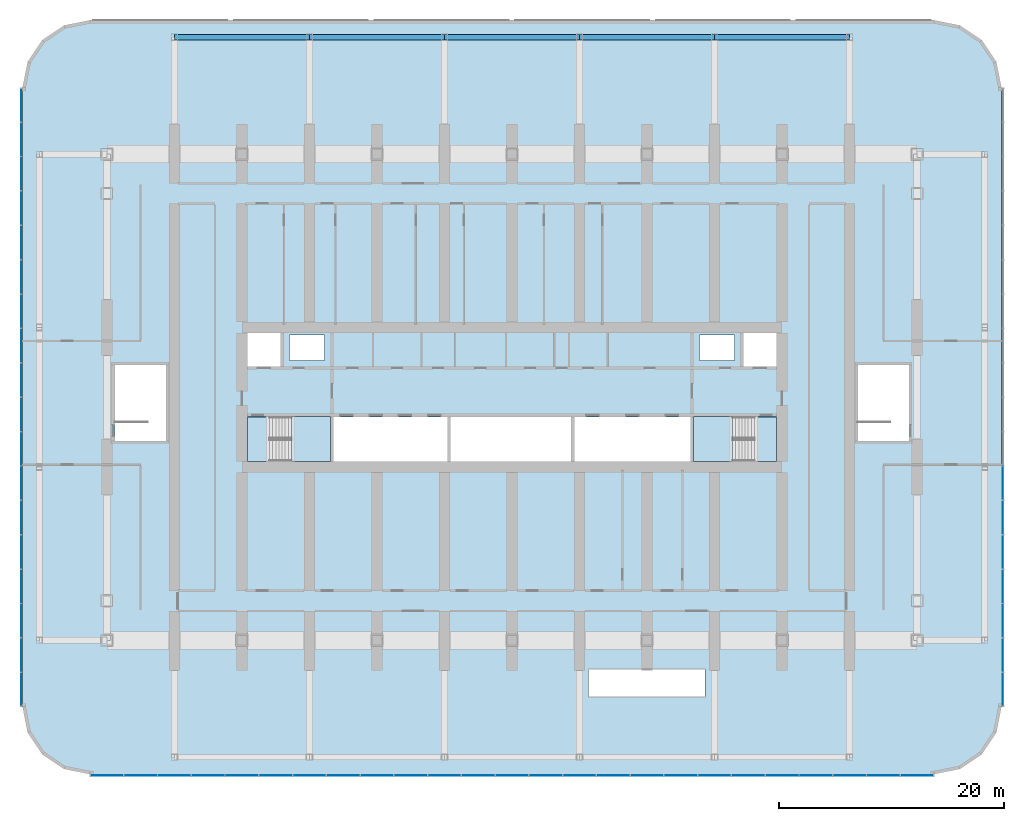
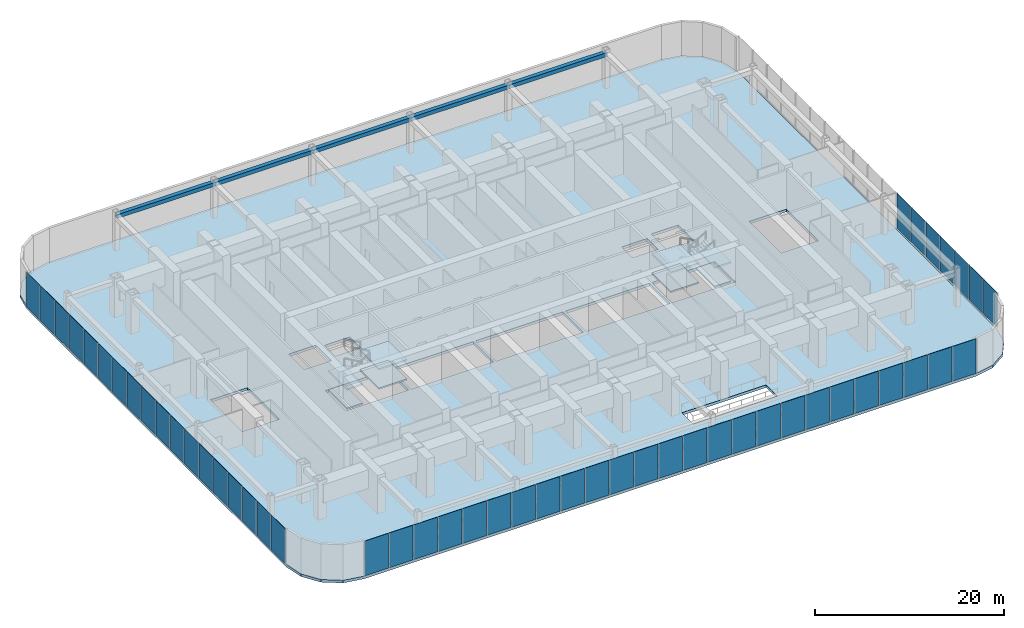
# One storey, part 10 of 26: 50 plates, 9 slabs, 5 beams, 5 elements without a shape of their own.
"""IFC4 building model written with IfcOpenShell, lengths in metres."""

from ifc_helpers import new_model, si_unit, direction, frame, origin, origin_2d, place, context, subcontext, project, spatial, polyline, rectangle, hollow_rectangle, outline, extrude, material, layer, layer_set, material_profile, profile_set, type_object, element, aggregate, save


model = new_model("IFC4")

# Units and contexts
model_context = context("Model", 3, precision=1e-05, world=origin(), true_north=direction((0.0, 1.0)))
body_context = subcontext(model_context, "Body", "Model", "MODEL_VIEW")
ifc_project = project(units=[si_unit("LENGTHUNIT", "METRE"), si_unit("AREAUNIT", "SQUARE_METRE"), si_unit("VOLUMEUNIT", "CUBIC_METRE"), si_unit("PLANEANGLEUNIT", "RADIAN"), si_unit("MASSUNIT", "GRAM", prefix="KILO")], contexts=[model_context])

# Site, building, storey
site_placement = place(None, origin())
site = spatial("IfcSite", under=ifc_project, at=site_placement, CompositionType="ELEMENT")
building_placement = place(site_placement, origin())
building = spatial("IfcBuilding", under=site, at=building_placement, Name="Orbita Commons", CompositionType="ELEMENT")
storey_placement = place(building_placement, frame((0.0, 0.0, 11.0)))
storey = spatial("IfcBuildingStorey", under=building, at=storey_placement, Name="L02", CompositionType="ELEMENT", Elevation=11.0)

# Beams
ifc_material_1 = material(Name="Steel ASTM A572 Gr 50 welded plate", Category="steel")
ifc_material_profile = material_profile(ifc_material_1, hollow_rectangle(XDim=0.5, YDim=0.5, WallThickness=0.050048828125, at=origin_2d()), Name="BOX 500x500x50")
ifc_profile_set = profile_set([ifc_material_profile], Name="Steel ASTM A572 Gr 50 welded plate")
beam_type = type_object("IfcBeamType", Name="Steel edge beam BOX 500x500x50", PredefinedType="SPANDREL", material=ifc_profile_set)
for number, where, z_axis, x_axis, name in (
    (1, (12.0, 64.0, 4.35009765625), (1.0, 0.0, 0.0), (0.0, 1.0, 0.0), "Edge beam F 3-5 L02"),
    (2, (24.0, 64.0, 4.35009765625), (1.0, 0.0, 0.0), (0.0, 1.0, 0.0), "Edge beam F 5-7 L02"),
    (3, (36.0, 64.0, 4.35009765625), (1.0, 0.0, 0.0), (0.0, 1.0, 0.0), "Edge beam F 7-9 L02"),
    (4, (48.0, 64.0, 4.35009765625), (1.0, 0.0, 0.0), (0.0, 1.0, 0.0), "Edge beam F 9-11 L02"),
    (5, (60.0, 64.0, 4.35009765625), (1.0, 0.0, 0.0), (0.0, 1.0, 0.0), "Edge beam F 11-13 L02"),
):
    element("IfcBeam", number, at=place(storey_placement, frame(where, z_axis=z_axis, x_axis=x_axis)), inside=storey, type_object=beam_type, Name=name, PredefinedType="SPANDREL", context=body_context, shape_type="SweptSolid", body=[
        extrude(hollow_rectangle(XDim=0.5, YDim=0.5, WallThickness=0.050048828125, at=origin_2d()), origin(), (0.0, 0.0, 1.0), 12.0),
    ])

# Slab
ifc_material_2 = material(Name="Concrete C40/50", Category="concrete")
ifc_layer_1 = layer(ifc_material_2, 0.35009765625)
ifc_layer_set_1 = layer_set([ifc_layer_1], Name="Concrete C40/50")
slab_type_1 = type_object("IfcSlabType", Name="Floor slab 350", PredefinedType="FLOOR", material=ifc_layer_set_1)
slab_1_placement = place(storey_placement, frame((0.0, 0.0, -0.35009765625)))
element("IfcSlab", 6, at=slab_1_placement, inside=storey, type_object=slab_type_1, Name="Floor slab L02", PredefinedType="FLOOR", context=body_context, shape_type="SweptSolid", body=[
    extrude(outline(polyline([(79.5, -1.5), (81.796142578125, -1.043212890625), (83.74267578125, 0.25732421875), (85.043212890625, 2.203857421875), (85.5, 4.5), (85.5, 59.5), (85.043212890625, 61.796142578125), (83.74267578125, 63.74267578125), (81.796142578125, 65.043212890625), (79.5, 65.5), (4.5, 65.5), (2.203857421875, 65.043212890625), (0.25732421875, 63.74267578125), (-1.043212890625, 61.796142578125), (-1.5, 59.5), (-1.5, 4.5), (-1.043212890625, 2.203857421875), (0.25732421875, 0.25732421875), (2.203857421875, -1.043212890625), (4.5, -1.5), (79.5, -1.5)]), holes=[polyline([(18.14990234375, 25.949951171875), (25.85009765625, 25.949951171875), (25.85009765625, 30.25), (18.14990234375, 30.25), (18.14990234375, 25.949951171875)]), polyline([(58.14990234375, 25.949951171875), (65.85009765625, 25.949951171875), (65.85009765625, 30.25), (58.14990234375, 30.25), (58.14990234375, 25.949951171875)]), polyline([(18.14990234375, 34.75), (21.449951171875, 34.75), (21.449951171875, 38.050048828125), (18.14990234375, 38.050048828125), (18.14990234375, 34.75)]), polyline([(62.550048828125, 34.75), (65.85009765625, 34.75), (65.85009765625, 38.050048828125), (62.550048828125, 38.050048828125), (62.550048828125, 34.75)]), polyline([(22.25, 35.25), (25.35009765625, 35.25), (25.35009765625, 37.550048828125), (22.25, 37.550048828125), (22.25, 35.25)]), polyline([(58.64990234375, 35.25), (61.75, 35.25), (61.75, 37.550048828125), (58.64990234375, 37.550048828125), (58.64990234375, 35.25)]), polyline([(26.14990234375, 25.949951171875), (36.25, 25.949951171875), (36.25, 30.25), (26.14990234375, 30.25), (26.14990234375, 25.949951171875)]), polyline([(36.550048828125, 25.949951171875), (47.25, 25.949951171875), (47.25, 30.25), (36.550048828125, 30.25), (36.550048828125, 25.949951171875)]), polyline([(47.550048828125, 25.949951171875), (57.85009765625, 25.949951171875), (57.85009765625, 30.25), (47.550048828125, 30.25), (47.550048828125, 25.949951171875)]), polyline([(48.85009765625, 5.39990234375), (59.14990234375, 5.39990234375), (59.14990234375, 7.800048828125), (48.85009765625, 7.800048828125), (48.85009765625, 5.39990234375)]), polyline([(6.72509765625, 28.125), (11.27490234375, 28.125), (11.27490234375, 34.875), (6.72509765625, 34.875), (6.72509765625, 28.125)]), polyline([(72.72509765625, 28.125), (77.27490234375, 28.125), (77.27490234375, 34.875), (72.72509765625, 34.875), (72.72509765625, 28.125)])]), origin(), (0.0, 0.0, 1.0), 0.35009765625),
])

# Stair, slabs
ifc_material_3 = material(Name="Precast concrete C40/50", Category="concrete")
stair_type_1 = type_object("IfcStairType", Name="Exit stair S1 4 flights 8 risers 156", PredefinedType="HALF_TURN_STAIR", material=ifc_material_3)
stair_1_placement = place(storey_placement, origin())
stair_1 = element("IfcStair", 7, at=stair_1_placement, inside=storey, type_object=stair_type_1, Name="Exit stair S1 L02", PredefinedType="HALF_TURN_STAIR")
ifc_material_4 = material(Name="Concrete C40/50", Category="concrete")
ifc_layer_2 = layer(ifc_material_4, 0.199951171875)
ifc_layer_set_2 = layer_set([ifc_layer_2], Name="Concrete C40/50")
slab_type_2 = type_object("IfcSlabType", Name="Stair landing 200", PredefinedType="LANDING", material=ifc_layer_set_2)
slab_2_placement = place(storey_placement, frame((0.0, 0.0, -0.199951171875)))
slab_2 = element("IfcSlab", 8, at=slab_2_placement, type_object=slab_type_2, Name="S1 landing 1", PredefinedType="LANDING", context=body_context, shape_type="SweptSolid", body=[
    extrude(outline(polyline([(18.5, 26.300048828125), (20.449951171875, 26.300048828125), (20.449951171875, 30.25), (18.5, 30.25), (18.5, 26.300048828125)])), origin(), (0.0, 0.0, 1.0), 0.199951171875),
])
slab_3_placement = place(storey_placement, frame((0.0, 0.0, 1.050048828125)))
slab_3 = element("IfcSlab", 9, at=slab_3_placement, type_object=slab_type_2, Name="S1 landing 2", PredefinedType="LANDING", context=body_context, shape_type="SweptSolid", body=[
    extrude(outline(polyline([(22.409912109375, 26.284912109375), (25.864990234375, 26.284912109375), (25.864990234375, 30.264892578125), (22.409912109375, 30.264892578125), (22.409912109375, 26.284912109375)])), origin(), (0.0, 0.0, 1.0), 0.199951171875),
])
slab_4_placement = place(storey_placement, frame((0.0, 0.0, 2.300048828125)))
slab_4 = element("IfcSlab", 10, at=slab_4_placement, type_object=slab_type_2, Name="S1 landing 3", PredefinedType="LANDING", context=body_context, shape_type="SweptSolid", body=[
    extrude(outline(polyline([(18.485107421875, 26.284912109375), (20.449951171875, 26.284912109375), (20.449951171875, 30.264892578125), (18.485107421875, 30.264892578125), (18.485107421875, 26.284912109375)])), origin(), (0.0, 0.0, 1.0), 0.199951171875),
])
slab_5_placement = place(storey_placement, frame((0.0, 0.0, 3.550048828125)))
slab_5 = element("IfcSlab", 11, at=slab_5_placement, type_object=slab_type_2, Name="S1 landing 4", PredefinedType="LANDING", context=body_context, shape_type="SweptSolid", body=[
    extrude(outline(polyline([(22.409912109375, 26.284912109375), (25.864990234375, 26.284912109375), (25.864990234375, 30.264892578125), (22.409912109375, 30.264892578125), (22.409912109375, 26.284912109375)])), origin(), (0.0, 0.0, 1.0), 0.199951171875),
])
aggregate(stair_1, [slab_2, slab_3, slab_4, slab_5])

ifc_material_5 = material(Name="Precast concrete C40/50", Category="concrete")
stair_type_2 = type_object("IfcStairType", Name="Exit stair S2 4 flights 8 risers 156", PredefinedType="HALF_TURN_STAIR", material=ifc_material_5)
stair_2_placement = place(storey_placement, origin())
stair_2 = element("IfcStair", 12, at=stair_2_placement, inside=storey, type_object=stair_type_2, Name="Exit stair S2 L02", PredefinedType="HALF_TURN_STAIR")
slab_6_placement = place(storey_placement, frame((0.0, 0.0, -0.199951171875)))
slab_6 = element("IfcSlab", 13, at=slab_6_placement, type_object=slab_type_2, Name="S2 landing 1", PredefinedType="LANDING", context=body_context, shape_type="SweptSolid", body=[
    extrude(outline(polyline([(63.550048828125, 26.300048828125), (65.5, 26.300048828125), (65.5, 30.25), (63.550048828125, 30.25), (63.550048828125, 26.300048828125)])), origin(), (0.0, 0.0, 1.0), 0.199951171875),
])
slab_7_placement = place(storey_placement, frame((0.0, 0.0, 1.050048828125)))
slab_7 = element("IfcSlab", 14, at=slab_7_placement, type_object=slab_type_2, Name="S2 landing 2", PredefinedType="LANDING", context=body_context, shape_type="SweptSolid", body=[
    extrude(outline(polyline([(58.135009765625, 26.284912109375), (61.590087890625, 26.284912109375), (61.590087890625, 30.264892578125), (58.135009765625, 30.264892578125), (58.135009765625, 26.284912109375)])), origin(), (0.0, 0.0, 1.0), 0.199951171875),
])
slab_8_placement = place(storey_placement, frame((0.0, 0.0, 2.300048828125)))
slab_8 = element("IfcSlab", 15, at=slab_8_placement, type_object=slab_type_2, Name="S2 landing 3", PredefinedType="LANDING", context=body_context, shape_type="SweptSolid", body=[
    extrude(outline(polyline([(63.550048828125, 26.284912109375), (65.514892578125, 26.284912109375), (65.514892578125, 30.264892578125), (63.550048828125, 30.264892578125), (63.550048828125, 26.284912109375)])), origin(), (0.0, 0.0, 1.0), 0.199951171875),
])
slab_9_placement = place(storey_placement, frame((0.0, 0.0, 3.550048828125)))
slab_9 = element("IfcSlab", 16, at=slab_9_placement, type_object=slab_type_2, Name="S2 landing 4", PredefinedType="LANDING", context=body_context, shape_type="SweptSolid", body=[
    extrude(outline(polyline([(58.135009765625, 26.284912109375), (61.590087890625, 26.284912109375), (61.590087890625, 30.264892578125), (58.135009765625, 30.264892578125), (58.135009765625, 26.284912109375)])), origin(), (0.0, 0.0, 1.0), 0.199951171875),
])
aggregate(stair_2, [slab_6, slab_7, slab_8, slab_9])

# Curtain wall, plates
ifc_material_6 = material(Name="Anodised aluminium frame, pale silver", Category="aluminium")
curtain_wall_type = type_object("IfcCurtainWallType", Name="Podium storefront curtain wall CW-P", PredefinedType="NOTDEFINED", material=ifc_material_6)
curtain_wall_1_placement = place(storey_placement, origin())
curtain_wall_1 = element("IfcCurtainWall", 17, at=curtain_wall_1_placement, inside=storey, type_object=curtain_wall_type, Name="Curtain wall S 1 L02", PredefinedType="NOTDEFINED")
ifc_material_7 = material(Name="Clear double glazing", Category="glass")
ifc_layer_3 = layer(ifc_material_7, 0.031982421875)
ifc_layer_set_3 = layer_set([ifc_layer_3], Name="Clear double glazing")
plate_type = type_object("IfcPlateType", Name="Storefront panel, clear glazing 32", PredefinedType="CURTAIN_PANEL", material=ifc_layer_set_3)
plate_1_placement = place(storey_placement, frame((6.02001953125, -1.610107421875, 0.10009765625), z_axis=(0.0, 0.0, 1.0), x_axis=(1.0, 0.0, 0.0)))
plate_1 = element("IfcPlate", 18, at=plate_1_placement, type_object=plate_type, Name="Panel 1.1 CW-L02-S0", PredefinedType="CURTAIN_PANEL", context=body_context, shape_type="SweptSolid", body=[
    extrude(rectangle(XDim=2.8798828125, YDim=0.031982421875, at=origin_2d()), origin(), (0.0, 0.0, 1.0), 4.5),
])
plate_2_placement = place(storey_placement, frame((9.0, -1.610107421875, 0.10009765625), z_axis=(0.0, 0.0, 1.0), x_axis=(1.0, 0.0, 0.0)))
plate_2 = element("IfcPlate", 19, at=plate_2_placement, type_object=plate_type, Name="Panel 2.1 CW-L02-S0", PredefinedType="CURTAIN_PANEL", context=body_context, shape_type="SweptSolid", body=[
    extrude(rectangle(XDim=2.919921875, YDim=0.031982421875, at=origin_2d()), origin(), (0.0, 0.0, 1.0), 4.5),
])
plate_3_placement = place(storey_placement, frame((12.0, -1.610107421875, 0.10009765625), z_axis=(0.0, 0.0, 1.0), x_axis=(1.0, 0.0, 0.0)))
plate_3 = element("IfcPlate", 20, at=plate_3_placement, type_object=plate_type, Name="Panel 3.1 CW-L02-S0", PredefinedType="CURTAIN_PANEL", context=body_context, shape_type="SweptSolid", body=[
    extrude(rectangle(XDim=2.919921875, YDim=0.031982421875, at=origin_2d()), origin(), (0.0, 0.0, 1.0), 4.5),
])
plate_4_placement = place(storey_placement, frame((15.0, -1.610107421875, 0.10009765625), z_axis=(0.0, 0.0, 1.0), x_axis=(1.0, 0.0, 0.0)))
plate_4 = element("IfcPlate", 21, at=plate_4_placement, type_object=plate_type, Name="Panel 4.1 CW-L02-S0", PredefinedType="CURTAIN_PANEL", context=body_context, shape_type="SweptSolid", body=[
    extrude(rectangle(XDim=2.919921875, YDim=0.031982421875, at=origin_2d()), origin(), (0.0, 0.0, 1.0), 4.5),
])
plate_5_placement = place(storey_placement, frame((18.0, -1.610107421875, 0.10009765625), z_axis=(0.0, 0.0, 1.0), x_axis=(1.0, 0.0, 0.0)))
plate_5 = element("IfcPlate", 22, at=plate_5_placement, type_object=plate_type, Name="Panel 5.1 CW-L02-S0", PredefinedType="CURTAIN_PANEL", context=body_context, shape_type="SweptSolid", body=[
    extrude(rectangle(XDim=2.919921875, YDim=0.031982421875, at=origin_2d()), origin(), (0.0, 0.0, 1.0), 4.5),
])
plate_6_placement = place(storey_placement, frame((21.0, -1.610107421875, 0.10009765625), z_axis=(0.0, 0.0, 1.0), x_axis=(1.0, 0.0, 0.0)))
plate_6 = element("IfcPlate", 23, at=plate_6_placement, type_object=plate_type, Name="Panel 6.1 CW-L02-S0", PredefinedType="CURTAIN_PANEL", context=body_context, shape_type="SweptSolid", body=[
    extrude(rectangle(XDim=2.919921875, YDim=0.031982421875, at=origin_2d()), origin(), (0.0, 0.0, 1.0), 4.5),
])
plate_7_placement = place(storey_placement, frame((24.0, -1.610107421875, 0.10009765625), z_axis=(0.0, 0.0, 1.0), x_axis=(1.0, 0.0, 0.0)))
plate_7 = element("IfcPlate", 24, at=plate_7_placement, type_object=plate_type, Name="Panel 7.1 CW-L02-S0", PredefinedType="CURTAIN_PANEL", context=body_context, shape_type="SweptSolid", body=[
    extrude(rectangle(XDim=2.919921875, YDim=0.031982421875, at=origin_2d()), origin(), (0.0, 0.0, 1.0), 4.5),
])
plate_8_placement = place(storey_placement, frame((27.0, -1.610107421875, 0.10009765625), z_axis=(0.0, 0.0, 1.0), x_axis=(1.0, 0.0, 0.0)))
plate_8 = element("IfcPlate", 25, at=plate_8_placement, type_object=plate_type, Name="Panel 8.1 CW-L02-S0", PredefinedType="CURTAIN_PANEL", context=body_context, shape_type="SweptSolid", body=[
    extrude(rectangle(XDim=2.919921875, YDim=0.031982421875, at=origin_2d()), origin(), (0.0, 0.0, 1.0), 4.5),
])
plate_9_placement = place(storey_placement, frame((30.0, -1.610107421875, 0.10009765625), z_axis=(0.0, 0.0, 1.0), x_axis=(1.0, 0.0, 0.0)))
plate_9 = element("IfcPlate", 26, at=plate_9_placement, type_object=plate_type, Name="Panel 9.1 CW-L02-S0", PredefinedType="CURTAIN_PANEL", context=body_context, shape_type="SweptSolid", body=[
    extrude(rectangle(XDim=2.919921875, YDim=0.031982421875, at=origin_2d()), origin(), (0.0, 0.0, 1.0), 4.5),
])
plate_10_placement = place(storey_placement, frame((33.0, -1.610107421875, 0.10009765625), z_axis=(0.0, 0.0, 1.0), x_axis=(1.0, 0.0, 0.0)))
plate_10 = element("IfcPlate", 27, at=plate_10_placement, type_object=plate_type, Name="Panel 10.1 CW-L02-S0", PredefinedType="CURTAIN_PANEL", context=body_context, shape_type="SweptSolid", body=[
    extrude(rectangle(XDim=2.919921875, YDim=0.031982421875, at=origin_2d()), origin(), (0.0, 0.0, 1.0), 4.5),
])
plate_11_placement = place(storey_placement, frame((36.0, -1.610107421875, 0.10009765625), z_axis=(0.0, 0.0, 1.0), x_axis=(1.0, 0.0, 0.0)))
plate_11 = element("IfcPlate", 28, at=plate_11_placement, type_object=plate_type, Name="Panel 11.1 CW-L02-S0", PredefinedType="CURTAIN_PANEL", context=body_context, shape_type="SweptSolid", body=[
    extrude(rectangle(XDim=2.919921875, YDim=0.031982421875, at=origin_2d()), origin(), (0.0, 0.0, 1.0), 4.5),
])
plate_12_placement = place(storey_placement, frame((39.0, -1.610107421875, 0.10009765625), z_axis=(0.0, 0.0, 1.0), x_axis=(1.0, 0.0, 0.0)))
plate_12 = element("IfcPlate", 29, at=plate_12_placement, type_object=plate_type, Name="Panel 12.1 CW-L02-S0", PredefinedType="CURTAIN_PANEL", context=body_context, shape_type="SweptSolid", body=[
    extrude(rectangle(XDim=2.919921875, YDim=0.031982421875, at=origin_2d()), origin(), (0.0, 0.0, 1.0), 4.5),
])
plate_13_placement = place(storey_placement, frame((42.0, -1.610107421875, 0.10009765625), z_axis=(0.0, 0.0, 1.0), x_axis=(1.0, 0.0, 0.0)))
plate_13 = element("IfcPlate", 30, at=plate_13_placement, type_object=plate_type, Name="Panel 13.1 CW-L02-S0", PredefinedType="CURTAIN_PANEL", context=body_context, shape_type="SweptSolid", body=[
    extrude(rectangle(XDim=2.919921875, YDim=0.031982421875, at=origin_2d()), origin(), (0.0, 0.0, 1.0), 4.5),
])
plate_14_placement = place(storey_placement, frame((45.0, -1.610107421875, 0.10009765625), z_axis=(0.0, 0.0, 1.0), x_axis=(1.0, 0.0, 0.0)))
plate_14 = element("IfcPlate", 31, at=plate_14_placement, type_object=plate_type, Name="Panel 14.1 CW-L02-S0", PredefinedType="CURTAIN_PANEL", context=body_context, shape_type="SweptSolid", body=[
    extrude(rectangle(XDim=2.919921875, YDim=0.031982421875, at=origin_2d()), origin(), (0.0, 0.0, 1.0), 4.5),
])
plate_15_placement = place(storey_placement, frame((48.0, -1.610107421875, 0.10009765625), z_axis=(0.0, 0.0, 1.0), x_axis=(1.0, 0.0, 0.0)))
plate_15 = element("IfcPlate", 32, at=plate_15_placement, type_object=plate_type, Name="Panel 15.1 CW-L02-S0", PredefinedType="CURTAIN_PANEL", context=body_context, shape_type="SweptSolid", body=[
    extrude(rectangle(XDim=2.919921875, YDim=0.031982421875, at=origin_2d()), origin(), (0.0, 0.0, 1.0), 4.5),
])
plate_16_placement = place(storey_placement, frame((51.0, -1.610107421875, 0.10009765625), z_axis=(0.0, 0.0, 1.0), x_axis=(1.0, 0.0, 0.0)))
plate_16 = element("IfcPlate", 33, at=plate_16_placement, type_object=plate_type, Name="Panel 16.1 CW-L02-S0", PredefinedType="CURTAIN_PANEL", context=body_context, shape_type="SweptSolid", body=[
    extrude(rectangle(XDim=2.919921875, YDim=0.031982421875, at=origin_2d()), origin(), (0.0, 0.0, 1.0), 4.5),
])
plate_17_placement = place(storey_placement, frame((54.0, -1.610107421875, 0.10009765625), z_axis=(0.0, 0.0, 1.0), x_axis=(1.0, 0.0, 0.0)))
plate_17 = element("IfcPlate", 34, at=plate_17_placement, type_object=plate_type, Name="Panel 17.1 CW-L02-S0", PredefinedType="CURTAIN_PANEL", context=body_context, shape_type="SweptSolid", body=[
    extrude(rectangle(XDim=2.919921875, YDim=0.031982421875, at=origin_2d()), origin(), (0.0, 0.0, 1.0), 4.5),
])
plate_18_placement = place(storey_placement, frame((57.0, -1.610107421875, 0.10009765625), z_axis=(0.0, 0.0, 1.0), x_axis=(1.0, 0.0, 0.0)))
plate_18 = element("IfcPlate", 35, at=plate_18_placement, type_object=plate_type, Name="Panel 18.1 CW-L02-S0", PredefinedType="CURTAIN_PANEL", context=body_context, shape_type="SweptSolid", body=[
    extrude(rectangle(XDim=2.919921875, YDim=0.031982421875, at=origin_2d()), origin(), (0.0, 0.0, 1.0), 4.5),
])
plate_19_placement = place(storey_placement, frame((60.0, -1.610107421875, 0.10009765625), z_axis=(0.0, 0.0, 1.0), x_axis=(1.0, 0.0, 0.0)))
plate_19 = element("IfcPlate", 36, at=plate_19_placement, type_object=plate_type, Name="Panel 19.1 CW-L02-S0", PredefinedType="CURTAIN_PANEL", context=body_context, shape_type="SweptSolid", body=[
    extrude(rectangle(XDim=2.919921875, YDim=0.031982421875, at=origin_2d()), origin(), (0.0, 0.0, 1.0), 4.5),
])
plate_20_placement = place(storey_placement, frame((63.0, -1.610107421875, 0.10009765625), z_axis=(0.0, 0.0, 1.0), x_axis=(1.0, 0.0, 0.0)))
plate_20 = element("IfcPlate", 37, at=plate_20_placement, type_object=plate_type, Name="Panel 20.1 CW-L02-S0", PredefinedType="CURTAIN_PANEL", context=body_context, shape_type="SweptSolid", body=[
    extrude(rectangle(XDim=2.919921875, YDim=0.031982421875, at=origin_2d()), origin(), (0.0, 0.0, 1.0), 4.5),
])
plate_21_placement = place(storey_placement, frame((66.0, -1.610107421875, 0.10009765625), z_axis=(0.0, 0.0, 1.0), x_axis=(1.0, 0.0, 0.0)))
plate_21 = element("IfcPlate", 38, at=plate_21_placement, type_object=plate_type, Name="Panel 21.1 CW-L02-S0", PredefinedType="CURTAIN_PANEL", context=body_context, shape_type="SweptSolid", body=[
    extrude(rectangle(XDim=2.919921875, YDim=0.031982421875, at=origin_2d()), origin(), (0.0, 0.0, 1.0), 4.5),
])
plate_22_placement = place(storey_placement, frame((69.0, -1.610107421875, 0.10009765625), z_axis=(0.0, 0.0, 1.0), x_axis=(1.0, 0.0, 0.0)))
plate_22 = element("IfcPlate", 39, at=plate_22_placement, type_object=plate_type, Name="Panel 22.1 CW-L02-S0", PredefinedType="CURTAIN_PANEL", context=body_context, shape_type="SweptSolid", body=[
    extrude(rectangle(XDim=2.919921875, YDim=0.031982421875, at=origin_2d()), origin(), (0.0, 0.0, 1.0), 4.5),
])
plate_23_placement = place(storey_placement, frame((72.0, -1.610107421875, 0.10009765625), z_axis=(0.0, 0.0, 1.0), x_axis=(1.0, 0.0, 0.0)))
plate_23 = element("IfcPlate", 40, at=plate_23_placement, type_object=plate_type, Name="Panel 23.1 CW-L02-S0", PredefinedType="CURTAIN_PANEL", context=body_context, shape_type="SweptSolid", body=[
    extrude(rectangle(XDim=2.919921875, YDim=0.031982421875, at=origin_2d()), origin(), (0.0, 0.0, 1.0), 4.5),
])
plate_24_placement = place(storey_placement, frame((75.0, -1.610107421875, 0.10009765625), z_axis=(0.0, 0.0, 1.0), x_axis=(1.0, 0.0, 0.0)))
plate_24 = element("IfcPlate", 41, at=plate_24_placement, type_object=plate_type, Name="Panel 24.1 CW-L02-S0", PredefinedType="CURTAIN_PANEL", context=body_context, shape_type="SweptSolid", body=[
    extrude(rectangle(XDim=2.919921875, YDim=0.031982421875, at=origin_2d()), origin(), (0.0, 0.0, 1.0), 4.5),
])
plate_25_placement = place(storey_placement, frame((77.97998046875, -1.610107421875, 0.10009765625), z_axis=(0.0, 0.0, 1.0), x_axis=(1.0, 0.0, 0.0)))
plate_25 = element("IfcPlate", 42, at=plate_25_placement, type_object=plate_type, Name="Panel 25.1 CW-L02-S0", PredefinedType="CURTAIN_PANEL", context=body_context, shape_type="SweptSolid", body=[
    extrude(rectangle(XDim=2.8798828125, YDim=0.031982421875, at=origin_2d()), origin(), (0.0, 0.0, 1.0), 4.5),
])
aggregate(curtain_wall_1, [plate_1, plate_2, plate_3, plate_4, plate_5, plate_6, plate_7, plate_8, plate_9, plate_10, plate_11, plate_12, plate_13, plate_14, plate_15, plate_16, plate_17, plate_18, plate_19, plate_20, plate_21, plate_22, plate_23, plate_24, plate_25])

curtain_wall_2_placement = place(storey_placement, origin())
curtain_wall_2 = element("IfcCurtainWall", 43, at=curtain_wall_2_placement, inside=storey, type_object=curtain_wall_type, Name="Curtain wall E 1 L02", PredefinedType="NOTDEFINED")
plate_26_placement = place(storey_placement, frame((85.610107421875, 6.0478515625, 0.10009765625), z_axis=(0.0, 0.0, 1.0), x_axis=(0.0, 1.0, 0.0)))
plate_26 = element("IfcPlate", 44, at=plate_26_placement, type_object=plate_type, Name="Panel 1.1 CW-L02-E0", PredefinedType="CURTAIN_PANEL", context=body_context, shape_type="SweptSolid", body=[
    extrude(rectangle(XDim=2.935546875, YDim=0.031982421875, at=origin_2d()), origin(), (0.0, 0.0, 1.0), 4.5),
])
plate_27_placement = place(storey_placement, frame((85.610107421875, 9.083251953125, 0.10009765625), z_axis=(0.0, 0.0, 1.0), x_axis=(0.0, 1.0, 0.0)))
plate_27 = element("IfcPlate", 45, at=plate_27_placement, type_object=plate_type, Name="Panel 2.1 CW-L02-E0", PredefinedType="CURTAIN_PANEL", context=body_context, shape_type="SweptSolid", body=[
    extrude(rectangle(XDim=2.9755859375, YDim=0.031982421875, at=origin_2d()), origin(), (0.0, 0.0, 1.0), 4.5),
])
plate_28_placement = place(storey_placement, frame((85.610107421875, 12.138916015625, 0.10009765625), z_axis=(0.0, 0.0, 1.0), x_axis=(0.0, 1.0, 0.0)))
plate_28 = element("IfcPlate", 46, at=plate_28_placement, type_object=plate_type, Name="Panel 3.1 CW-L02-E0", PredefinedType="CURTAIN_PANEL", context=body_context, shape_type="SweptSolid", body=[
    extrude(rectangle(XDim=2.9755859375, YDim=0.031982421875, at=origin_2d()), origin(), (0.0, 0.0, 1.0), 4.5),
])
plate_29_placement = place(storey_placement, frame((85.610107421875, 15.1943359375, 0.10009765625), z_axis=(0.0, 0.0, 1.0), x_axis=(0.0, 1.0, 0.0)))
plate_29 = element("IfcPlate", 47, at=plate_29_placement, type_object=plate_type, Name="Panel 4.1 CW-L02-E0", PredefinedType="CURTAIN_PANEL", context=body_context, shape_type="SweptSolid", body=[
    extrude(rectangle(XDim=2.9755859375, YDim=0.031982421875, at=origin_2d()), origin(), (0.0, 0.0, 1.0), 4.5),
])
plate_30_placement = place(storey_placement, frame((85.610107421875, 18.25, 0.10009765625), z_axis=(0.0, 0.0, 1.0), x_axis=(0.0, 1.0, 0.0)))
plate_30 = element("IfcPlate", 48, at=plate_30_placement, type_object=plate_type, Name="Panel 5.1 CW-L02-E0", PredefinedType="CURTAIN_PANEL", context=body_context, shape_type="SweptSolid", body=[
    extrude(rectangle(XDim=2.9755859375, YDim=0.031982421875, at=origin_2d()), origin(), (0.0, 0.0, 1.0), 4.5),
])
plate_31_placement = place(storey_placement, frame((85.610107421875, 21.3056640625, 0.10009765625), z_axis=(0.0, 0.0, 1.0), x_axis=(0.0, 1.0, 0.0)))
plate_31 = element("IfcPlate", 49, at=plate_31_placement, type_object=plate_type, Name="Panel 6.1 CW-L02-E0", PredefinedType="CURTAIN_PANEL", context=body_context, shape_type="SweptSolid", body=[
    extrude(rectangle(XDim=2.9755859375, YDim=0.031982421875, at=origin_2d()), origin(), (0.0, 0.0, 1.0), 4.5),
])
plate_32_placement = place(storey_placement, frame((85.610107421875, 24.361083984375, 0.10009765625), z_axis=(0.0, 0.0, 1.0), x_axis=(0.0, 1.0, 0.0)))
plate_32 = element("IfcPlate", 50, at=plate_32_placement, type_object=plate_type, Name="Panel 7.1 CW-L02-E0", PredefinedType="CURTAIN_PANEL", context=body_context, shape_type="SweptSolid", body=[
    extrude(rectangle(XDim=2.9755859375, YDim=0.031982421875, at=origin_2d()), origin(), (0.0, 0.0, 1.0), 4.5),
])
aggregate(curtain_wall_2, [plate_26, plate_27, plate_28, plate_29, plate_30, plate_31, plate_32])

curtain_wall_3_placement = place(storey_placement, origin())
curtain_wall_3 = element("IfcCurtainWall", 51, at=curtain_wall_3_placement, inside=storey, type_object=curtain_wall_type, Name="Curtain wall W 1 L02", PredefinedType="NOTDEFINED")
plate_33_placement = place(storey_placement, frame((-1.610107421875, 57.9521484375, 0.10009765625), z_axis=(0.0, 0.0, 1.0), x_axis=(0.0, -1.0, 0.0)))
plate_33 = element("IfcPlate", 52, at=plate_33_placement, type_object=plate_type, Name="Panel 1.1 CW-L02-W0", PredefinedType="CURTAIN_PANEL", context=body_context, shape_type="SweptSolid", body=[
    extrude(rectangle(XDim=2.935546875, YDim=0.031982421875, at=origin_2d()), origin(), (0.0, 0.0, 1.0), 4.5),
])
plate_34_placement = place(storey_placement, frame((-1.610107421875, 54.916748046875, 0.10009765625), z_axis=(0.0, 0.0, 1.0), x_axis=(0.0, -1.0, 0.0)))
plate_34 = element("IfcPlate", 53, at=plate_34_placement, type_object=plate_type, Name="Panel 2.1 CW-L02-W0", PredefinedType="CURTAIN_PANEL", context=body_context, shape_type="SweptSolid", body=[
    extrude(rectangle(XDim=2.9755859375, YDim=0.031982421875, at=origin_2d()), origin(), (0.0, 0.0, 1.0), 4.5),
])
plate_35_placement = place(storey_placement, frame((-1.610107421875, 51.861083984375, 0.10009765625), z_axis=(0.0, 0.0, 1.0), x_axis=(0.0, -1.0, 0.0)))
plate_35 = element("IfcPlate", 54, at=plate_35_placement, type_object=plate_type, Name="Panel 3.1 CW-L02-W0", PredefinedType="CURTAIN_PANEL", context=body_context, shape_type="SweptSolid", body=[
    extrude(rectangle(XDim=2.9755859375, YDim=0.031982421875, at=origin_2d()), origin(), (0.0, 0.0, 1.0), 4.5),
])
plate_36_placement = place(storey_placement, frame((-1.610107421875, 48.8056640625, 0.10009765625), z_axis=(0.0, 0.0, 1.0), x_axis=(0.0, -1.0, 0.0)))
plate_36 = element("IfcPlate", 55, at=plate_36_placement, type_object=plate_type, Name="Panel 4.1 CW-L02-W0", PredefinedType="CURTAIN_PANEL", context=body_context, shape_type="SweptSolid", body=[
    extrude(rectangle(XDim=2.9755859375, YDim=0.031982421875, at=origin_2d()), origin(), (0.0, 0.0, 1.0), 4.5),
])
plate_37_placement = place(storey_placement, frame((-1.610107421875, 45.75, 0.10009765625), z_axis=(0.0, 0.0, 1.0), x_axis=(0.0, -1.0, 0.0)))
plate_37 = element("IfcPlate", 56, at=plate_37_placement, type_object=plate_type, Name="Panel 5.1 CW-L02-W0", PredefinedType="CURTAIN_PANEL", context=body_context, shape_type="SweptSolid", body=[
    extrude(rectangle(XDim=2.9755859375, YDim=0.031982421875, at=origin_2d()), origin(), (0.0, 0.0, 1.0), 4.5),
])
plate_38_placement = place(storey_placement, frame((-1.610107421875, 42.6943359375, 0.10009765625), z_axis=(0.0, 0.0, 1.0), x_axis=(0.0, -1.0, 0.0)))
plate_38 = element("IfcPlate", 57, at=plate_38_placement, type_object=plate_type, Name="Panel 6.1 CW-L02-W0", PredefinedType="CURTAIN_PANEL", context=body_context, shape_type="SweptSolid", body=[
    extrude(rectangle(XDim=2.9755859375, YDim=0.031982421875, at=origin_2d()), origin(), (0.0, 0.0, 1.0), 4.5),
])
plate_39_placement = place(storey_placement, frame((-1.610107421875, 39.638916015625, 0.10009765625), z_axis=(0.0, 0.0, 1.0), x_axis=(0.0, -1.0, 0.0)))
plate_39 = element("IfcPlate", 58, at=plate_39_placement, type_object=plate_type, Name="Panel 7.1 CW-L02-W0", PredefinedType="CURTAIN_PANEL", context=body_context, shape_type="SweptSolid", body=[
    extrude(rectangle(XDim=2.9755859375, YDim=0.031982421875, at=origin_2d()), origin(), (0.0, 0.0, 1.0), 4.5),
])
plate_40_placement = place(storey_placement, frame((-1.610107421875, 36.583251953125, 0.10009765625), z_axis=(0.0, 0.0, 1.0), x_axis=(0.0, -1.0, 0.0)))
plate_40 = element("IfcPlate", 59, at=plate_40_placement, type_object=plate_type, Name="Panel 8.1 CW-L02-W0", PredefinedType="CURTAIN_PANEL", context=body_context, shape_type="SweptSolid", body=[
    extrude(rectangle(XDim=2.9755859375, YDim=0.031982421875, at=origin_2d()), origin(), (0.0, 0.0, 1.0), 4.5),
])
plate_41_placement = place(storey_placement, frame((-1.610107421875, 33.52783203125, 0.10009765625), z_axis=(0.0, 0.0, 1.0), x_axis=(0.0, -1.0, 0.0)))
plate_41 = element("IfcPlate", 60, at=plate_41_placement, type_object=plate_type, Name="Panel 9.1 CW-L02-W0", PredefinedType="CURTAIN_PANEL", context=body_context, shape_type="SweptSolid", body=[
    extrude(rectangle(XDim=2.9755859375, YDim=0.031982421875, at=origin_2d()), origin(), (0.0, 0.0, 1.0), 4.5),
])
plate_42_placement = place(storey_placement, frame((-1.610107421875, 30.47216796875, 0.10009765625), z_axis=(0.0, 0.0, 1.0), x_axis=(0.0, -1.0, 0.0)))
plate_42 = element("IfcPlate", 61, at=plate_42_placement, type_object=plate_type, Name="Panel 10.1 CW-L02-W0", PredefinedType="CURTAIN_PANEL", context=body_context, shape_type="SweptSolid", body=[
    extrude(rectangle(XDim=2.9755859375, YDim=0.031982421875, at=origin_2d()), origin(), (0.0, 0.0, 1.0), 4.5),
])
plate_43_placement = place(storey_placement, frame((-1.610107421875, 27.416748046875, 0.10009765625), z_axis=(0.0, 0.0, 1.0), x_axis=(0.0, -1.0, 0.0)))
plate_43 = element("IfcPlate", 62, at=plate_43_placement, type_object=plate_type, Name="Panel 11.1 CW-L02-W0", PredefinedType="CURTAIN_PANEL", context=body_context, shape_type="SweptSolid", body=[
    extrude(rectangle(XDim=2.9755859375, YDim=0.031982421875, at=origin_2d()), origin(), (0.0, 0.0, 1.0), 4.5),
])
plate_44_placement = place(storey_placement, frame((-1.610107421875, 24.361083984375, 0.10009765625), z_axis=(0.0, 0.0, 1.0), x_axis=(0.0, -1.0, 0.0)))
plate_44 = element("IfcPlate", 63, at=plate_44_placement, type_object=plate_type, Name="Panel 12.1 CW-L02-W0", PredefinedType="CURTAIN_PANEL", context=body_context, shape_type="SweptSolid", body=[
    extrude(rectangle(XDim=2.9755859375, YDim=0.031982421875, at=origin_2d()), origin(), (0.0, 0.0, 1.0), 4.5),
])
plate_45_placement = place(storey_placement, frame((-1.610107421875, 21.3056640625, 0.10009765625), z_axis=(0.0, 0.0, 1.0), x_axis=(0.0, -1.0, 0.0)))
plate_45 = element("IfcPlate", 64, at=plate_45_placement, type_object=plate_type, Name="Panel 13.1 CW-L02-W0", PredefinedType="CURTAIN_PANEL", context=body_context, shape_type="SweptSolid", body=[
    extrude(rectangle(XDim=2.9755859375, YDim=0.031982421875, at=origin_2d()), origin(), (0.0, 0.0, 1.0), 4.5),
])
plate_46_placement = place(storey_placement, frame((-1.610107421875, 18.25, 0.10009765625), z_axis=(0.0, 0.0, 1.0), x_axis=(0.0, -1.0, 0.0)))
plate_46 = element("IfcPlate", 65, at=plate_46_placement, type_object=plate_type, Name="Panel 14.1 CW-L02-W0", PredefinedType="CURTAIN_PANEL", context=body_context, shape_type="SweptSolid", body=[
    extrude(rectangle(XDim=2.9755859375, YDim=0.031982421875, at=origin_2d()), origin(), (0.0, 0.0, 1.0), 4.5),
])
plate_47_placement = place(storey_placement, frame((-1.610107421875, 15.1943359375, 0.10009765625), z_axis=(0.0, 0.0, 1.0), x_axis=(0.0, -1.0, 0.0)))
plate_47 = element("IfcPlate", 66, at=plate_47_placement, type_object=plate_type, Name="Panel 15.1 CW-L02-W0", PredefinedType="CURTAIN_PANEL", context=body_context, shape_type="SweptSolid", body=[
    extrude(rectangle(XDim=2.9755859375, YDim=0.031982421875, at=origin_2d()), origin(), (0.0, 0.0, 1.0), 4.5),
])
plate_48_placement = place(storey_placement, frame((-1.610107421875, 12.138916015625, 0.10009765625), z_axis=(0.0, 0.0, 1.0), x_axis=(0.0, -1.0, 0.0)))
plate_48 = element("IfcPlate", 67, at=plate_48_placement, type_object=plate_type, Name="Panel 16.1 CW-L02-W0", PredefinedType="CURTAIN_PANEL", context=body_context, shape_type="SweptSolid", body=[
    extrude(rectangle(XDim=2.9755859375, YDim=0.031982421875, at=origin_2d()), origin(), (0.0, 0.0, 1.0), 4.5),
])
plate_49_placement = place(storey_placement, frame((-1.610107421875, 9.083251953125, 0.10009765625), z_axis=(0.0, 0.0, 1.0), x_axis=(0.0, -1.0, 0.0)))
plate_49 = element("IfcPlate", 68, at=plate_49_placement, type_object=plate_type, Name="Panel 17.1 CW-L02-W0", PredefinedType="CURTAIN_PANEL", context=body_context, shape_type="SweptSolid", body=[
    extrude(rectangle(XDim=2.9755859375, YDim=0.031982421875, at=origin_2d()), origin(), (0.0, 0.0, 1.0), 4.5),
])
plate_50_placement = place(storey_placement, frame((-1.610107421875, 6.0478515625, 0.10009765625), z_axis=(0.0, 0.0, 1.0), x_axis=(0.0, -1.0, 0.0)))
plate_50 = element("IfcPlate", 69, at=plate_50_placement, type_object=plate_type, Name="Panel 18.1 CW-L02-W0", PredefinedType="CURTAIN_PANEL", context=body_context, shape_type="SweptSolid", body=[
    extrude(rectangle(XDim=2.935546875, YDim=0.031982421875, at=origin_2d()), origin(), (0.0, 0.0, 1.0), 4.5),
])
aggregate(curtain_wall_3, [plate_33, plate_34, plate_35, plate_36, plate_37, plate_38, plate_39, plate_40, plate_41, plate_42, plate_43, plate_44, plate_45, plate_46, plate_47, plate_48, plate_49, plate_50])

save(model, "model.ifc")
